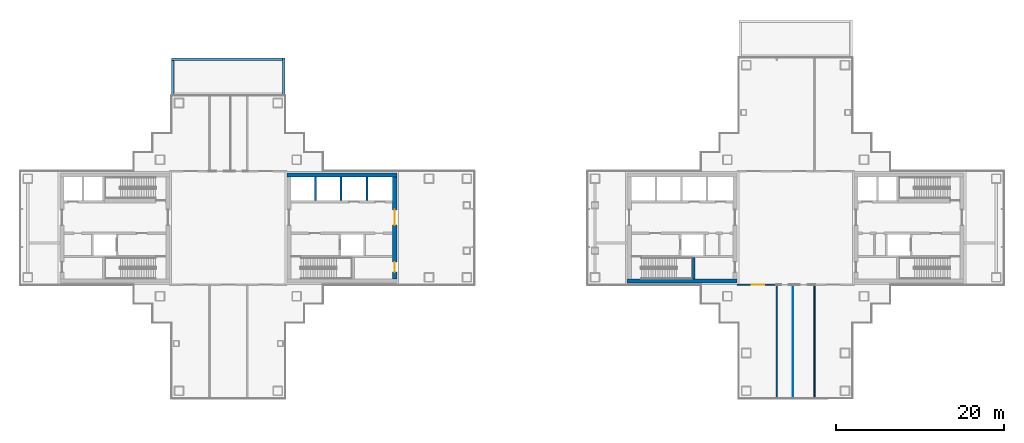
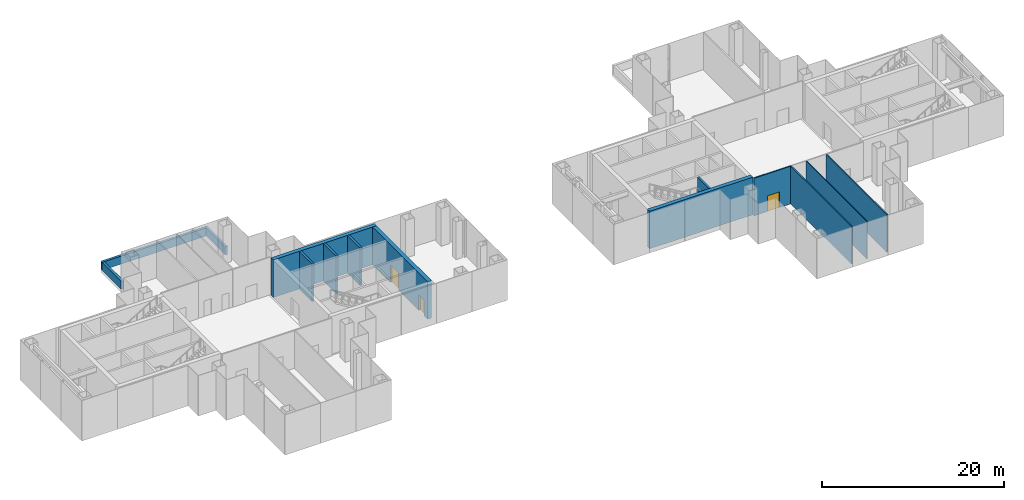
# One storey, part 10 of 15: 14 walls, 3 doors, 3 openings.
"""IFC4 building model written with IfcOpenShell, lengths in metres."""

from ifc_helpers import new_model, si_unit, direction, frame, frame_2d, origin, place, context, subcontext, project, spatial, rectangle, extrude, material, layer, layer_set, type_object, element, fill, save


model = new_model("IFC4")

# Units and contexts
model_context = context("Model", 3, precision=1e-05, world=origin(), true_north=direction((0.0, 1.0)))
body_context = subcontext(model_context, "Body", "Model", "MODEL_VIEW")
ifc_project = project(units=[si_unit("LENGTHUNIT", "METRE"), si_unit("AREAUNIT", "SQUARE_METRE"), si_unit("VOLUMEUNIT", "CUBIC_METRE"), si_unit("PLANEANGLEUNIT", "RADIAN"), si_unit("MASSUNIT", "GRAM", prefix="KILO")], contexts=[model_context])

# Site, building, storey
site_placement = place(None, origin())
site = spatial("IfcSite", under=ifc_project, at=site_placement, CompositionType="ELEMENT")
building_placement = place(site_placement, origin())
building = spatial("IfcBuilding", under=site, at=building_placement, Name="Shamsa Quay Exchange Towers", CompositionType="ELEMENT")
storey_placement = place(building_placement, frame((0.0, 0.0, 133.5)))
storey = spatial("IfcBuildingStorey", under=building, at=storey_placement, Name="L31", CompositionType="ELEMENT", Elevation=133.5)

# Wall
ifc_material_1 = material(Name="Concrete C60/75", Category="concrete")
ifc_layer_1 = layer(ifc_material_1, 0.5)
ifc_layer_set_1 = layer_set([ifc_layer_1], Name="CORE WALL 500 C60/75")
wall_type_1 = type_object("IfcWallType", Name="CORE WALL 500 C60/75", PredefinedType="SHEAR", material=ifc_layer_set_1)
wall_1_placement = place(storey_placement, frame((-26.800048828125, 6.300048828125, 0.0)))
element("IfcWall", 1, at=wall_1_placement, inside=storey, type_object=wall_type_1, Name="Core wall T1A-L31-PN", PredefinedType="SHEAR", context=body_context, shape_type="SweptSolid", body=[
    extrude(rectangle(XDim=13.10009765625, YDim=0.5, at=frame_2d((6.550048828125, 0.0))), origin(), (0.0, 0.0, 1.0), 5.050048828125),
])

# Wall, openings, doors
wall_2_placement = place(storey_placement, frame((-13.949951171875, 6.050048828125, 0.0), z_axis=(0.0, 0.0, 1.0), x_axis=(0.0, -1.0, 0.0)))
wall_2 = element("IfcWall", 2, at=wall_2_placement, inside=storey, type_object=wall_type_1, Name="Core wall T1A-L31-PB", PredefinedType="SHEAR", context=body_context, shape_type="SweptSolid", body=[
    extrude(rectangle(XDim=12.10009765625, YDim=0.5, at=frame_2d((6.050048828125, 0.0))), origin(), (0.0, 0.0, 1.0), 5.050048828125),
])
opening_1_placement = place(wall_2_placement, frame((10.10009765625, 0.0, 0.0)))
opening_1 = element("IfcOpeningElement", 3, at=opening_1_placement, cuts=wall_2, Name="Opening T1A-L31-RD02", PredefinedType="OPENING", context=body_context, shape_type="SweptSolid", body=[
    extrude(rectangle(XDim=1.199951171875, YDim=2.10009765625, at=frame_2d((0.60009765625, 1.050048828125))), frame((0.0, 0.260009765625, 0.0), z_axis=(0.0, -1.0, 0.0), x_axis=(1.0, 0.0, 0.0)), (0.0, 0.0, 1.0), 0.52001953125),
])
opening_2_placement = place(wall_2_placement, frame((3.89990234375, 0.0, 0.0)))
opening_2 = element("IfcOpeningElement", 4, at=opening_2_placement, cuts=wall_2, Name="Opening T1A-L31-LBD03", PredefinedType="OPENING", context=body_context, shape_type="SweptSolid", body=[
    extrude(rectangle(XDim=1.800048828125, YDim=2.39990234375, at=frame_2d((0.89990234375, 1.199951171875))), frame((0.0, 0.260009765625, 0.0), z_axis=(0.0, -1.0, 0.0), x_axis=(1.0, 0.0, 0.0)), (0.0, 0.0, 1.0), 0.52001953125),
])
ifc_material_2 = material(Name="Steel, fire rated", Category="steel")
door_type_1 = type_object("IfcDoorType", Name="LIFT LOBBY DOOR PAIR 1800", OperationType="DOUBLE_DOOR_SINGLE_SWING", PredefinedType="DOOR", material=ifc_material_2)
door_1_placement = place(opening_2_placement, origin())
door_1 = element("IfcDoor", 5, at=door_1_placement, inside=storey, type_object=door_type_1, Name="T1A-L31-LBD03", OperationType="DOUBLE_DOOR_SINGLE_SWING", OverallHeight=2.39990234375, OverallWidth=1.800048828125, PredefinedType="DOOR", context=body_context, shape_type="SweptSolid", body=[
    extrude(rectangle(XDim=1.800048828125, YDim=2.39990234375, at=frame_2d((0.89990234375, 1.199951171875))), frame((0.0, 0.02490234375, 0.0), z_axis=(0.0, -1.0, 0.0), x_axis=(1.0, 0.0, 0.0)), (0.0, 0.0, 1.0), 0.050048828125),
])
fill(opening_2, door_1)
door_type_2 = type_object("IfcDoorType", Name="RISER ACCESS DOOR 1200", OperationType="SINGLE_SWING_LEFT", PredefinedType="DOOR", material=ifc_material_2)
door_2_placement = place(opening_1_placement, origin())
door_2 = element("IfcDoor", 6, at=door_2_placement, inside=storey, type_object=door_type_2, Name="T1A-L31-RD02", OperationType="SINGLE_SWING_RIGHT", OverallHeight=2.10009765625, OverallWidth=1.199951171875, PredefinedType="DOOR", context=body_context, shape_type="SweptSolid", body=[
    extrude(rectangle(XDim=1.199951171875, YDim=2.10009765625, at=frame_2d((0.60009765625, 1.050048828125))), frame((0.0, 0.02490234375, 0.0), z_axis=(0.0, -1.0, 0.0), x_axis=(1.0, 0.0, 0.0)), (0.0, 0.0, 1.0), 0.050048828125),
])
fill(opening_1, door_2)

# Walls
wall_3_placement = place(storey_placement, frame((13.699951171875, -6.300048828125, 0.0)))
element("IfcWall", 7, at=wall_3_placement, inside=storey, type_object=wall_type_1, Name="Core wall T2A-L31-PS", PredefinedType="SHEAR", context=body_context, shape_type="SweptSolid", body=[
    extrude(rectangle(XDim=13.10009765625, YDim=0.5, at=frame_2d((6.550048828125, 0.0))), origin(), (0.0, 0.0, 1.0), 5.050048828125),
])
ifc_material_3 = material(Name="Gypsum board partition on metal studs")
ifc_layer_2 = layer(ifc_material_3, 0.10009765625)
ifc_layer_set_2 = layer_set([ifc_layer_2], Name="Partition 100 mm NOT RATED")
wall_type_2 = type_object("IfcWallType", Name="Partition 100 mm NOT RATED", PredefinedType="PARTITIONING", material=ifc_layer_set_2)
wall_4_placement = place(storey_placement, frame((33.4375, -6.800048828125, 0.0), z_axis=(0.0, 0.0, 1.0), x_axis=(0.0, -1.0, 0.0)))
element("IfcWall", 8, at=wall_4_placement, inside=storey, type_object=wall_type_2, Name="Partition T2-L31-W08", PredefinedType="PARTITIONING", context=body_context, shape_type="SweptSolid", body=[
    extrude(rectangle(XDim=13.35498046875, YDim=0.10009765625, at=frame_2d((6.677490234375, 0.0))), origin(), (0.0, 0.0, 1.0), 5.050048828125),
])

# Wall, opening, door
ifc_layer_3 = layer(ifc_material_3, 0.14990234375)
ifc_layer_set_3 = layer_set([ifc_layer_3], Name="Partition 150 mm EI 60")
wall_type_3 = type_object("IfcWallType", Name="Partition 150 mm EI 60", PredefinedType="PARTITIONING", material=ifc_layer_set_3)
wall_5_placement = place(storey_placement, frame((31.574951171875, -6.75, 0.0), z_axis=(0.0, 0.0, 1.0), x_axis=(-1.0, 0.0, 0.0)))
wall_5 = element("IfcWall", 9, at=wall_5_placement, inside=storey, type_object=wall_type_3, Name="Partition T2-L31-W03", PredefinedType="PARTITIONING", context=body_context, shape_type="SweptSolid", body=[
    extrude(rectangle(XDim=4.77490234375, YDim=0.14990234375, at=frame_2d((2.387451171875, 0.0))), origin(), (0.0, 0.0, 1.0), 5.050048828125),
])
opening_3_placement = place(wall_5_placement, frame((1.574951171875, 0.0, 0.0)))
opening_3 = element("IfcOpeningElement", 10, at=opening_3_placement, cuts=wall_5, Name="Opening T2-L31-D05", PredefinedType="OPENING", context=body_context, shape_type="SweptSolid", body=[
    extrude(rectangle(XDim=1.5, YDim=2.10009765625, at=frame_2d((0.75, 1.050048828125))), frame((0.0, 0.0849609375, 0.0), z_axis=(0.0, -1.0, 0.0), x_axis=(1.0, 0.0, 0.0)), (0.0, 0.0, 1.0), 0.169921875),
])
ifc_material_4 = material(Name="Timber door leaf in a metal frame", Category="wood")
door_type_3 = type_object("IfcDoorType", Name="Door 1500x2100 FD30S pair", OperationType="NOTDEFINED", PredefinedType="DOOR", material=ifc_material_4)
door_3_placement = place(opening_3_placement, origin())
door_3 = element("IfcDoor", 11, at=door_3_placement, inside=storey, type_object=door_type_3, Name="Door T2-L31-D05", OperationType="DOUBLE_DOOR_SINGLE_SWING", OverallHeight=2.10009765625, OverallWidth=1.5, PredefinedType="DOOR", context=body_context, shape_type="SweptSolid", body=[
    extrude(rectangle(XDim=1.5, YDim=2.10009765625, at=frame_2d((0.75, 1.050048828125))), frame((0.0, 0.02490234375, 0.0), z_axis=(0.0, -1.0, 0.0), x_axis=(1.0, 0.0, 0.0)), (0.0, 0.0, 1.0), 0.050048828125),
])
fill(opening_3, door_3)

# Walls
for number, where, z_axis, x_axis, name in (
    (12, (36.0, -6.824951171875, 0.0), (0.0, 0.0, 1.0), (0.0, -1.0, 0.0), "Partition T2-L31-W06"),
    (13, (31.5, -6.824951171875, 0.0), (0.0, 0.0, 1.0), (0.0, -1.0, 0.0), "Partition T2-L31-W09"),
):
    element("IfcWall", number, at=place(storey_placement, frame(where, z_axis=z_axis, x_axis=x_axis)), inside=storey, type_object=wall_type_3, Name=name, PredefinedType="PARTITIONING", context=body_context, shape_type="SweptSolid", body=[
        extrude(rectangle(XDim=13.330078125, YDim=0.14990234375, at=frame_2d((6.6650390625, 0.0))), origin(), (0.0, 0.0, 1.0), 5.050048828125),
    ])
ifc_material_5 = material(Name="Reinforced concrete C30/37", Category="concrete")
ifc_layer_4 = layer(ifc_material_5, 0.300048828125)
ifc_layer_set_4 = layer_set([ifc_layer_4], Name="ROOF PARAPET 300 C30/37")
wall_type_4 = type_object("IfcWallType", Name="ROOF PARAPET 300 C30/37", PredefinedType="PARAPET", material=ifc_layer_set_4)
wall_6_placement = place(storey_placement, frame((-27.14990234375, 15.75, 0.0), z_axis=(0.0, 0.0, 1.0), x_axis=(0.0, 1.0, 0.0)))
element("IfcWall", 14, at=wall_6_placement, inside=storey, type_object=wall_type_4, Name="Parapet L30 1", PredefinedType="PARAPET", context=body_context, shape_type="SweptSolid", body=[
    extrude(rectangle(XDim=4.5, YDim=0.300048828125, at=frame_2d((2.25, 0.0))), origin(), (0.0, 0.0, 1.0), 1.10009765625),
])
wall_7_placement = place(storey_placement, frame((-27.300048828125, 20.10009765625, 0.0), z_axis=(0.0, 0.0, 1.0), x_axis=(-1.0, 0.0, 0.0)))
element("IfcWall", 15, at=wall_7_placement, inside=storey, type_object=wall_type_4, Name="Parapet L30 2", PredefinedType="PARAPET", context=body_context, shape_type="SweptSolid", body=[
    extrude(rectangle(XDim=13.199951171875, YDim=0.300048828125, at=frame_2d((6.60009765625, 0.0))), origin(), (0.0, 0.0, 1.0), 1.10009765625),
])
wall_8_placement = place(storey_placement, frame((-40.35009765625, 19.949951171875, 0.0), z_axis=(0.0, 0.0, 1.0), x_axis=(0.0, -1.0, 0.0)))
element("IfcWall", 16, at=wall_8_placement, inside=storey, type_object=wall_type_4, Name="Parapet L30 3", PredefinedType="PARAPET", context=body_context, shape_type="SweptSolid", body=[
    extrude(rectangle(XDim=4.199951171875, YDim=0.300048828125, at=frame_2d((2.10009765625, 0.0))), origin(), (0.0, 0.0, 1.0), 1.10009765625),
])
ifc_material_6 = material(Name="Concrete C50/60", Category="concrete")
ifc_layer_5 = layer(ifc_material_6, 0.25)
ifc_layer_set_5 = layer_set([ifc_layer_5], Name="SHAFT WALL 250 C50/60")
wall_type_5 = type_object("IfcWallType", Name="SHAFT WALL 250 C50/60", PredefinedType="SHEAR", material=ifc_layer_set_5)
for number, where, z_axis, x_axis, name in (
    (17, (-23.375, 3.25, 0.0), (0.0, 0.0, 1.0), (0.0, 1.0, 0.0), "Shaft wall T1A-L31-D0"),
    (18, (-20.324951171875, 3.25, 0.0), (0.0, 0.0, 1.0), (0.0, 1.0, 0.0), "Shaft wall T1A-L31-D1"),
    (19, (-17.27490234375, 3.25, 0.0), (0.0, 0.0, 1.0), (0.0, 1.0, 0.0), "Shaft wall T1A-L31-D2"),
):
    element("IfcWall", number, at=place(storey_placement, frame(where, z_axis=z_axis, x_axis=x_axis)), inside=storey, type_object=wall_type_5, Name=name, PredefinedType="SHEAR", context=body_context, shape_type="SweptSolid", body=[
        extrude(rectangle(XDim=2.800048828125, YDim=0.25, at=frame_2d((1.39990234375, 0.0))), origin(), (0.0, 0.0, 1.0), 5.050048828125),
    ])
wall_9_placement = place(storey_placement, frame((21.625, -6.050048828125, 0.0), z_axis=(0.0, 0.0, 1.0), x_axis=(0.0, 1.0, 0.0)))
element("IfcWall", 20, at=wall_9_placement, inside=storey, type_object=wall_type_5, Name="Shaft wall T2A-L31-STF", PredefinedType="SHEAR", context=body_context, shape_type="SweptSolid", body=[
    extrude(rectangle(XDim=2.550048828125, YDim=0.25, at=frame_2d((1.27490234375, 0.0))), origin(), (0.0, 0.0, 1.0), 5.050048828125),
])

save(model, "model.ifc")
